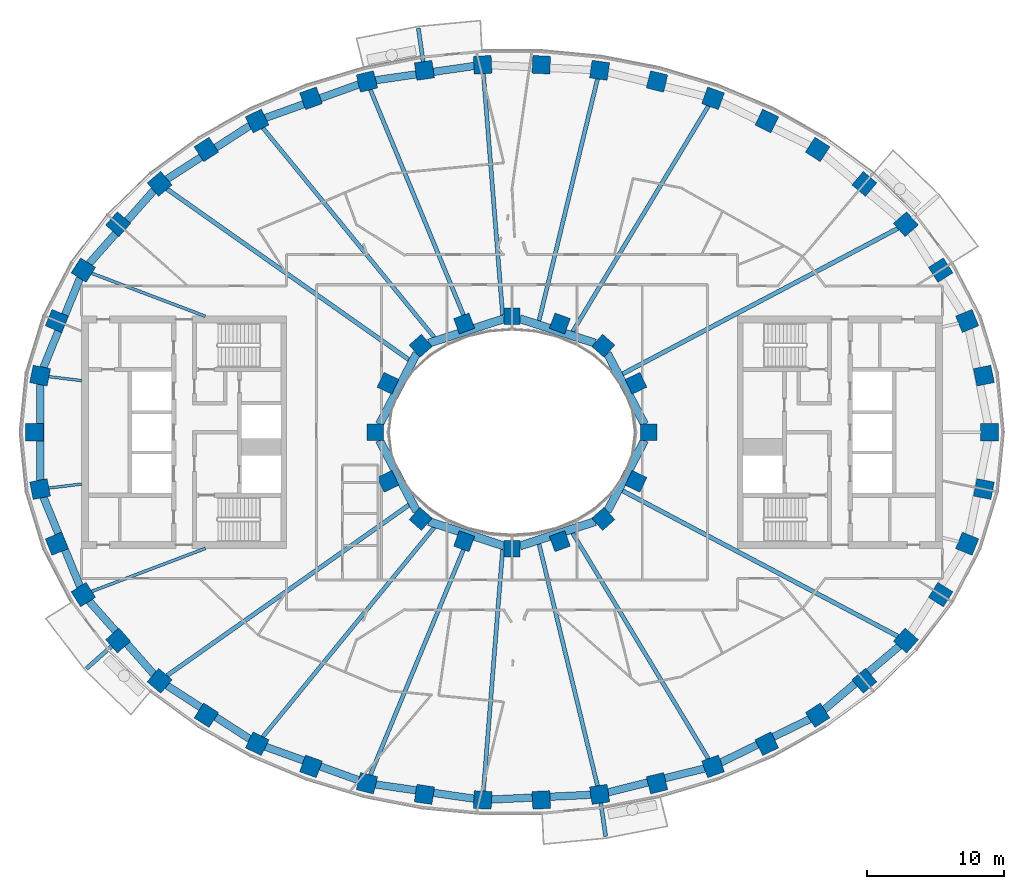
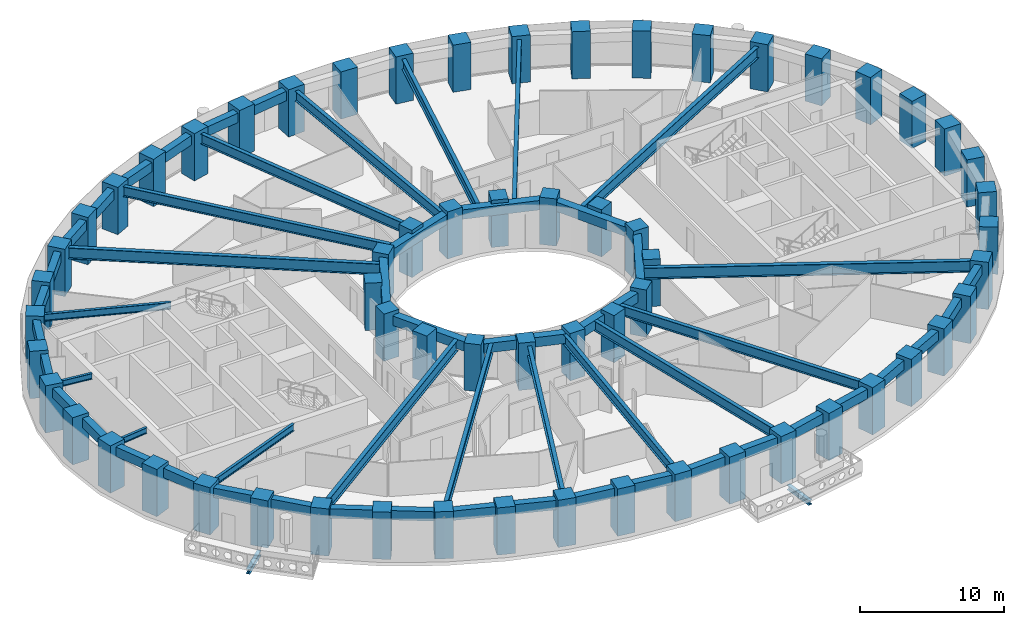
# One storey, part 1 of 16: 62 columns, 44 beams.
"""IFC4 building model written with IfcOpenShell, lengths in metres."""

from ifc_helpers import new_model, si_unit, direction, frame, origin, origin_2d, place, context, subcontext, project, spatial, rectangle, i_section, extrude, material, material_profile, profile_set, type_object, element, save


model = new_model("IFC4")

# Units and contexts
model_context = context("Model", 3, precision=1e-05, world=origin(), true_north=direction((0.0, 1.0)))
body_context = subcontext(model_context, "Body", "Model", "MODEL_VIEW")
ifc_project = project(units=[si_unit("LENGTHUNIT", "METRE"), si_unit("AREAUNIT", "SQUARE_METRE"), si_unit("VOLUMEUNIT", "CUBIC_METRE"), si_unit("PLANEANGLEUNIT", "RADIAN"), si_unit("MASSUNIT", "GRAM", prefix="KILO")], contexts=[model_context])

# Site, building, storey
site_placement = place(None, origin())
site = spatial("IfcSite", under=ifc_project, at=site_placement, CompositionType="ELEMENT")
building_placement = place(site_placement, origin())
building = spatial("IfcBuilding", under=site, at=building_placement, Name="Noorbagh Ring Tower", CompositionType="ELEMENT")
storey_placement = place(building_placement, frame((0.0, 0.0, 96.0)))
storey = spatial("IfcBuildingStorey", under=building, at=storey_placement, Name="L21", CompositionType="ELEMENT", Elevation=96.0)

# Columns
ifc_material_1 = material(Name="Concrete C60/75", Category="concrete")
ifc_material_profile_1 = material_profile(ifc_material_1, rectangle(XDim=1.300048828125, YDim=1.300048828125, at=origin_2d()), Name="RC1300x1300")
ifc_profile_set_1 = profile_set([ifc_material_profile_1], Name="Concrete C60/75")
column_type_1 = type_object("IfcColumnType", Name="STR-COL-RC1300x1300-C60-75", PredefinedType="COLUMN", material=ifc_profile_set_1)
for number, where, z_axis, x_axis, name in (
    (1, (34.944580078125, 0.0, 0.0), (0.0, 0.0, 1.0), (0.0, 1.0, 0.0), "L21/col/R1-01"),
    (2, (34.52685546875, 4.150634765625, 0.0), (0.0, 0.0, 1.0), (-0.19723040178, 0.9803571638, 0.0), "L21/col/R1-02"),
    (3, (33.30517578125, 8.1494140625, 0.0), (0.0, 0.0, 1.0), (-0.378989499959, 0.925400971969, 0.0), "L21/col/R1-03"),
    (4, (31.364990234375, 11.87109375, 0.0), (0.0, 0.0, 1.0), (-0.535190403059, 0.844731455833, 0.0), "L21/col/R1-04"),
    (5, (28.81884765625, 15.23046875, 0.0), (0.0, 0.0, 1.0), (-0.662635642662, 0.748941923699, 0.0), "L21/col/R1-05"),
    (6, (25.78271484375, 18.180419921875, 0.0), (0.0, 0.0, 1.0), (-0.763035199656, 0.646356932419, 0.0), "L21/col/R1-06"),
    (7, (22.362060546875, 20.699951171875, 0.0), (0.0, 0.0, 1.0), (-0.840247639643, 0.542202825586, 0.0), "L21/col/R1-07"),
    (8, (18.646240234375, 22.785400390625, 0.0), (0.0, 0.0, 1.0), (-0.898399080868, 0.439180021741, 0.0), "L21/col/R1-08"),
    (9, (14.70947265625, 24.44091796875, 0.0), (0.0, 0.0, 1.0), (-0.941024726094, 0.338337797003, 0.0), "L21/col/R1-09"),
    (10, (10.61328125, 25.673583984375, 0.0), (0.0, 0.0, 1.0), (-0.970829360981, 0.239771457553, 0.0), "L21/col/R1-10"),
    (11, (6.4091796875, 26.49072265625, 0.0), (0.0, 0.0, 1.0), (-0.989713114048, 0.143066249975, 0.0), "L21/col/R1-11"),
    (12, (2.14306640625, 26.89794921875, 0.0), (0.0, 0.0, 1.0), (-0.998868731212, 0.047552684538, 0.0), "L21/col/R1-12"),
    (13, (-2.14306640625, 26.89794921875, 0.0), (0.0, 0.0, 1.0), (-0.998868731212, -0.047552684538, 0.0), "L21/col/R1-13"),
    (14, (-6.4091796875, 26.49072265625, 0.0), (0.0, 0.0, 1.0), (-0.989713114048, -0.143066249975, 0.0), "L21/col/R1-14"),
    (15, (-10.61328125, 25.673583984375, 0.0), (0.0, 0.0, 1.0), (-0.970829360981, -0.239771457553, 0.0), "L21/col/R1-15"),
    (16, (-14.70947265625, 24.44091796875, 0.0), (0.0, 0.0, 1.0), (-0.941024726094, -0.338337797003, 0.0), "L21/col/R1-16"),
    (17, (-18.646240234375, 22.785400390625, 0.0), (0.0, 0.0, 1.0), (-0.898399080868, -0.439180021741, 0.0), "L21/col/R1-17"),
    (18, (-22.362060546875, 20.699951171875, 0.0), (0.0, 0.0, 1.0), (-0.840247639643, -0.542202825586, 0.0), "L21/col/R1-18"),
    (19, (-25.78271484375, 18.180419921875, 0.0), (0.0, 0.0, 1.0), (-0.763035199656, -0.646356932419, 0.0), "L21/col/R1-19"),
    (20, (-28.81884765625, 15.23046875, 0.0), (0.0, 0.0, 1.0), (-0.662635642662, -0.748941923699, 0.0), "L21/col/R1-20"),
    (21, (-31.364990234375, 11.87109375, 0.0), (0.0, 0.0, 1.0), (-0.535190403059, -0.844731455833, 0.0), "L21/col/R1-21"),
    (22, (-33.30517578125, 8.1494140625, 0.0), (0.0, 0.0, 1.0), (-0.378989499959, -0.925400971969, 0.0), "L21/col/R1-22"),
    (23, (-34.52685546875, 4.150634765625, 0.0), (0.0, 0.0, 1.0), (-0.19723040178, -0.9803571638, 0.0), "L21/col/R1-23"),
    (24, (-34.944580078125, 0.0, 0.0), (0.0, 0.0, 1.0), (0.0, -1.0, 0.0), "L21/col/R1-24"),
    (25, (-34.52685546875, -4.150634765625, 0.0), (0.0, 0.0, 1.0), (0.19723040178, -0.9803571638, 0.0), "L21/col/R1-25"),
    (26, (-33.30517578125, -8.1494140625, 0.0), (0.0, 0.0, 1.0), (0.378989499959, -0.925400971969, 0.0), "L21/col/R1-26"),
    (27, (-31.364990234375, -11.87109375, 0.0), (0.0, 0.0, 1.0), (0.535190403059, -0.844731455833, 0.0), "L21/col/R1-27"),
    (28, (-28.81884765625, -15.23046875, 0.0), (0.0, 0.0, 1.0), (0.662635642662, -0.748941923699, 0.0), "L21/col/R1-28"),
    (29, (-25.78271484375, -18.180419921875, 0.0), (0.0, 0.0, 1.0), (0.763035199656, -0.646356932419, 0.0), "L21/col/R1-29"),
    (30, (-22.362060546875, -20.699951171875, 0.0), (0.0, 0.0, 1.0), (0.840247639643, -0.542202825586, 0.0), "L21/col/R1-30"),
    (31, (-18.646240234375, -22.785400390625, 0.0), (0.0, 0.0, 1.0), (0.898399080868, -0.439180021741, 0.0), "L21/col/R1-31"),
    (32, (-14.70947265625, -24.44091796875, 0.0), (0.0, 0.0, 1.0), (0.941024726094, -0.338337797003, 0.0), "L21/col/R1-32"),
    (33, (-10.61328125, -25.673583984375, 0.0), (0.0, 0.0, 1.0), (0.970829360981, -0.239771457553, 0.0), "L21/col/R1-33"),
    (34, (-6.4091796875, -26.49072265625, 0.0), (0.0, 0.0, 1.0), (0.989713114048, -0.143066249975, 0.0), "L21/col/R1-34"),
    (35, (-2.14306640625, -26.89794921875, 0.0), (0.0, 0.0, 1.0), (0.998868731212, -0.047552684538, 0.0), "L21/col/R1-35"),
    (36, (2.14306640625, -26.89794921875, 0.0), (0.0, 0.0, 1.0), (0.998868731212, 0.047552684538, 0.0), "L21/col/R1-36"),
    (37, (6.4091796875, -26.49072265625, 0.0), (0.0, 0.0, 1.0), (0.989713114048, 0.143066249975, 0.0), "L21/col/R1-37"),
    (38, (10.61328125, -25.673583984375, 0.0), (0.0, 0.0, 1.0), (0.970829360981, 0.239771457553, 0.0), "L21/col/R1-38"),
    (39, (14.70947265625, -24.44091796875, 0.0), (0.0, 0.0, 1.0), (0.941024726094, 0.338337797003, 0.0), "L21/col/R1-39"),
    (40, (18.646240234375, -22.785400390625, 0.0), (0.0, 0.0, 1.0), (0.898399080868, 0.439180021741, 0.0), "L21/col/R1-40"),
    (41, (22.362060546875, -20.699951171875, 0.0), (0.0, 0.0, 1.0), (0.840247639643, 0.542202825586, 0.0), "L21/col/R1-41"),
    (42, (25.78271484375, -18.180419921875, 0.0), (0.0, 0.0, 1.0), (0.763035199656, 0.646356932419, 0.0), "L21/col/R1-42"),
    (43, (28.81884765625, -15.23046875, 0.0), (0.0, 0.0, 1.0), (0.662635642662, 0.748941923699, 0.0), "L21/col/R1-43"),
    (44, (31.364990234375, -11.87109375, 0.0), (0.0, 0.0, 1.0), (0.535190403059, 0.844731455833, 0.0), "L21/col/R1-44"),
    (45, (33.30517578125, -8.1494140625, 0.0), (0.0, 0.0, 1.0), (0.378989499959, 0.925400971969, 0.0), "L21/col/R1-45"),
    (46, (34.52685546875, -4.150634765625, 0.0), (0.0, 0.0, 1.0), (0.19723040178, 0.9803571638, 0.0), "L21/col/R1-46"),
):
    element("IfcColumn", number, at=place(storey_placement, frame(where, z_axis=z_axis, x_axis=x_axis)), inside=storey, type_object=column_type_1, Name=name, PredefinedType="COLUMN", context=body_context, shape_type="SweptSolid", body=[
        extrude(rectangle(XDim=1.300048828125, YDim=1.300048828125, at=origin_2d()), origin(), (0.0, 0.0, 1.0), 4.0),
    ])
ifc_material_2 = material(Name="Concrete C60/75", Category="concrete")
ifc_material_profile_2 = material_profile(ifc_material_2, rectangle(XDim=1.199951171875, YDim=1.199951171875, at=origin_2d()), Name="RC1200x1200")
ifc_profile_set_2 = profile_set([ifc_material_profile_2], Name="Concrete C60/75")
column_type_2 = type_object("IfcColumnType", Name="STR-ICOL-RC1200x1200-C60-75", PredefinedType="COLUMN", material=ifc_profile_set_2)
for number, where, z_axis, x_axis, name in (
    (47, (10.00830078125, 0.0, 0.0), (0.0, 0.0, 1.0), (0.0, 1.0, 0.0), "L21/col/IR2-W01"),
    (48, (9.07568359375, 3.58837890625, 0.0), (0.0, 0.0, 1.0), (-0.428666979171, 0.903462573087, 0.0), "L21/col/IR2-W03"),
    (49, (6.68212890625, 6.333740234375, 0.0), (0.0, 0.0, 1.0), (-0.75102249095, 0.660276622399, 0.0), "L21/col/IR2-W05"),
    (50, (3.5009765625, 7.967041015625, 0.0), (0.0, 0.0, 1.0), (-0.939019578916, 0.343863679984, 0.0), "L21/col/IR2-W07"),
    (51, (0.0, 8.5029296875, 0.0), (0.0, 0.0, 1.0), (-1.0, 0.0, 0.0), "L21/col/IR2-W09"),
    (52, (-3.5009765625, 7.967041015625, 0.0), (0.0, 0.0, 1.0), (-0.939019578916, -0.343863679984, 0.0), "L21/col/IR2-W11"),
    (53, (-6.68212890625, 6.333740234375, 0.0), (0.0, 0.0, 1.0), (-0.75102249095, -0.660276622399, 0.0), "L21/col/IR2-W13"),
    (54, (-9.07568359375, 3.58837890625, 0.0), (0.0, 0.0, 1.0), (-0.428666979171, -0.903462573087, 0.0), "L21/col/IR2-W15"),
    (55, (-10.00830078125, 0.0, 0.0), (0.0, 0.0, 1.0), (0.0, -1.0, 0.0), "L21/col/IR2-W17"),
    (56, (-9.07568359375, -3.58837890625, 0.0), (0.0, 0.0, 1.0), (0.428666979171, -0.903462573087, 0.0), "L21/col/IR2-W19"),
    (57, (-6.68212890625, -6.333740234375, 0.0), (0.0, 0.0, 1.0), (0.75102249095, -0.660276622399, 0.0), "L21/col/IR2-W21"),
    (58, (-3.5009765625, -7.967041015625, 0.0), (0.0, 0.0, 1.0), (0.939019578916, -0.343863679984, 0.0), "L21/col/IR2-W23"),
    (59, (0.0, -8.5029296875, 0.0), (0.0, 0.0, 1.0), (1.0, 0.0, 0.0), "L21/col/IR2-W25"),
    (60, (3.5009765625, -7.967041015625, 0.0), (0.0, 0.0, 1.0), (0.939019578916, 0.343863679984, 0.0), "L21/col/IR2-W27"),
    (61, (6.68212890625, -6.333740234375, 0.0), (0.0, 0.0, 1.0), (0.75102249095, 0.660276622399, 0.0), "L21/col/IR2-W29"),
    (62, (9.07568359375, -3.58837890625, 0.0), (0.0, 0.0, 1.0), (0.428666979171, 0.903462573087, 0.0), "L21/col/IR2-W31"),
):
    element("IfcColumn", number, at=place(storey_placement, frame(where, z_axis=z_axis, x_axis=x_axis)), inside=storey, type_object=column_type_2, Name=name, PredefinedType="COLUMN", context=body_context, shape_type="SweptSolid", body=[
        extrude(rectangle(XDim=1.199951171875, YDim=1.199951171875, at=origin_2d()), origin(), (0.0, 0.0, 1.0), 4.0),
    ])

# Beams
ifc_material_3 = material(Name="Steel S355", Category="steel")
ifc_material_profile_3 = material_profile(ifc_material_3, i_section(OverallWidth=0.300048828125, OverallDepth=0.39990234375, WebThickness=0.013427734375, FlangeThickness=0.02392578125, FilletRadius=0.027099609375, at=origin_2d()), Name="HEB400")
ifc_profile_set_3 = profile_set([ifc_material_profile_3], Name="Steel S355")
beam_type_1 = type_object("IfcBeamType", Name="STR-BALCONY-BRACKET-HEB400", PredefinedType="BEAM", material=ifc_profile_set_3)
beam_1_placement = place(storey_placement, frame((-6.49951171875, 27.1142578125, -0.5), z_axis=(-0.14299620794, 0.989723236322, 0.0), x_axis=(-0.989723236322, -0.14299620794, 0.0)))
element("IfcBeam", 63, at=beam_1_placement, inside=storey, type_object=beam_type_1, Name="Balcony bracket beam BN04", PredefinedType="BEAM", context=body_context, shape_type="SweptSolid", body=[
    extrude(i_section(OverallWidth=0.300048828125, OverallDepth=0.39990234375, WebThickness=0.013427734375, FlangeThickness=0.02392578125, FilletRadius=0.027099609375, at=origin_2d()), origin(), (0.0, 0.0, 1.0), 2.473876953125),
])
beam_2_placement = place(storey_placement, frame((-29.290771484375, -15.64794921875, -0.5), z_axis=(-0.749058582827, -0.662503765645, 0.0), x_axis=(0.662503765645, -0.749058582827, 0.0)))
element("IfcBeam", 64, at=beam_2_placement, inside=storey, type_object=beam_type_1, Name="Balcony bracket beam BS01", PredefinedType="BEAM", context=body_context, shape_type="SweptSolid", body=[
    extrude(i_section(OverallWidth=0.300048828125, OverallDepth=0.39990234375, WebThickness=0.013427734375, FlangeThickness=0.02392578125, FilletRadius=0.027099609375, at=origin_2d()), origin(), (0.0, 0.0, 1.0), 2.479248046875),
])
beam_3_placement = place(storey_placement, frame((6.49951171875, -27.1142578125, -0.5), z_axis=(0.14299620794, -0.989723236322, 0.0), x_axis=(0.989723236322, 0.14299620794, 0.0)))
element("IfcBeam", 65, at=beam_3_placement, inside=storey, type_object=beam_type_1, Name="Balcony bracket beam BS04", PredefinedType="BEAM", context=body_context, shape_type="SweptSolid", body=[
    extrude(i_section(OverallWidth=0.300048828125, OverallDepth=0.39990234375, WebThickness=0.013427734375, FlangeThickness=0.02392578125, FilletRadius=0.027099609375, at=origin_2d()), origin(), (0.0, 0.0, 1.0), 2.473876953125),
])
ifc_material_4 = material(Name="Steel S355", Category="steel")
ifc_material_profile_4 = material_profile(ifc_material_4, i_section(OverallWidth=0.199951171875, OverallDepth=0.5, WebThickness=0.01025390625, FlangeThickness=0.01611328125, FilletRadius=0.02099609375, at=origin_2d()), Name="IPE500")
ifc_profile_set_4 = profile_set([ifc_material_profile_4], Name="Steel S355")
beam_type_2 = type_object("IfcBeamType", Name="STR-RAD-IPE500", PredefinedType="BEAM", material=ifc_profile_set_4)
for number, where, z_axis, x_axis, name in (
    (66, (-33.899169921875, 4.0751953125, 3.449951171875), (0.992852635549, -0.119346738892, 0.0), (0.119346738892, 0.992852635549, 0.0), "L21/bm/RD23"),
    (67, (-33.899169921875, -4.0751953125, 3.449951171875), (0.992852635549, 0.119346738892, 0.0), (-0.119346738892, 0.992852635549, 0.0), "L21/bm/RD25"),
):
    element("IfcBeam", number, at=place(storey_placement, frame(where, z_axis=z_axis, x_axis=x_axis)), inside=storey, type_object=beam_type_2, Name=name, PredefinedType="BEAM", context=body_context, shape_type="SweptSolid", body=[
        extrude(i_section(OverallWidth=0.199951171875, OverallDepth=0.5, WebThickness=0.01025390625, FlangeThickness=0.01611328125, FilletRadius=0.02099609375, at=origin_2d()), origin(), (0.0, 0.0, 1.0), 2.436279296875),
    ])
ifc_material_5 = material(Name="Steel S355", Category="steel")
ifc_material_profile_5 = material_profile(ifc_material_5, i_section(OverallWidth=0.219970703125, OverallDepth=0.60009765625, WebThickness=0.011962890625, FlangeThickness=0.01904296875, FilletRadius=0.02392578125, at=origin_2d()), Name="IPE600")
ifc_profile_set_5 = profile_set([ifc_material_profile_5], Name="Steel S355")
beam_type_3 = type_object("IfcBeamType", Name="STR-RAD-IPE600", PredefinedType="BEAM", material=ifc_profile_set_5)
for number, where, z_axis, x_axis, name in (
    (68, (-30.762939453125, 11.64306640625, 3.39990234375), (0.935256068659, -0.353971871815, 0.0), (0.353971871815, 0.935256068659, 0.0), "L21/bm/RD21"),
    (69, (-30.762939453125, -11.64306640625, 3.39990234375), (0.935256068659, 0.353971871815, 0.0), (-0.353971871815, 0.935256068659, 0.0), "L21/bm/RD27"),
):
    element("IfcBeam", number, at=place(storey_placement, frame(where, z_axis=z_axis, x_axis=x_axis)), inside=storey, type_object=beam_type_3, Name=name, PredefinedType="BEAM", context=body_context, shape_type="SweptSolid", body=[
        extrude(i_section(OverallWidth=0.219970703125, OverallDepth=0.60009765625, WebThickness=0.011962890625, FlangeThickness=0.01904296875, FilletRadius=0.02392578125, at=origin_2d()), origin(), (0.0, 0.0, 1.0), 8.8994140625),
    ])
ifc_material_6 = material(Name="Steel S355", Category="steel")
ifc_material_profile_6 = material_profile(ifc_material_6, i_section(OverallWidth=0.300048828125, OverallDepth=0.85009765625, WebThickness=0.013916015625, FlangeThickness=0.028076171875, at=origin_2d()), Name="PG850x300x14x28")
ifc_profile_set_6 = profile_set([ifc_material_profile_6], Name="Steel S355")
beam_type_4 = type_object("IfcBeamType", Name="STR-RAD-PG850x300x14x28", PredefinedType="BEAM", material=ifc_profile_set_6)
beam_4_placement = place(storey_placement, frame((14.378173828125, 23.89013671875, 3.27490234375), z_axis=(-0.515660214946, -0.85679317383, 0.0), x_axis=(0.85679317383, -0.515660214946, 0.0)))
element("IfcBeam", 70, at=beam_4_placement, inside=storey, type_object=beam_type_4, Name="L21/bm/RD09", PredefinedType="BEAM", context=body_context, shape_type="SweptSolid", body=[
    extrude(i_section(OverallWidth=0.300048828125, OverallDepth=0.85009765625, WebThickness=0.013916015625, FlangeThickness=0.028076171875, at=origin_2d()), origin(), (0.0, 0.0, 1.0), 19.293212890625),
])
beam_5_placement = place(storey_placement, frame((6.260498046875, 25.875732421875, 3.27490234375), z_axis=(-0.235164579981, -0.971955564994, 0.0), x_axis=(0.971955564994, -0.235164579981, 0.0)))
element("IfcBeam", 71, at=beam_5_placement, inside=storey, type_object=beam_type_4, Name="L21/bm/RD11", PredefinedType="BEAM", context=body_context, shape_type="SweptSolid", body=[
    extrude(i_section(OverallWidth=0.300048828125, OverallDepth=0.85009765625, WebThickness=0.013916015625, FlangeThickness=0.028076171875, at=origin_2d()), origin(), (0.0, 0.0, 1.0), 18.230224609375),
])
beam_6_placement = place(storey_placement, frame((-2.093017578125, 26.26953125, 3.27490234375), z_axis=(0.079419392273, -0.996841291345, 0.0), x_axis=(0.996841291345, 0.079419392273, 0.0)))
element("IfcBeam", 72, at=beam_6_placement, inside=storey, type_object=beam_type_4, Name="L21/bm/RD13", PredefinedType="BEAM", context=body_context, shape_type="SweptSolid", body=[
    extrude(i_section(OverallWidth=0.300048828125, OverallDepth=0.85009765625, WebThickness=0.013916015625, FlangeThickness=0.028076171875, at=origin_2d()), origin(), (0.0, 0.0, 1.0), 17.749755859375),
])
beam_7_placement = place(storey_placement, frame((-10.36962890625, 25.084716796875, 3.27490234375), z_axis=(0.38202515603, -0.924151924826, 0.0), x_axis=(0.924151924826, 0.38202515603, 0.0)))
element("IfcBeam", 73, at=beam_7_placement, inside=storey, type_object=beam_type_4, Name="L21/bm/RD15", PredefinedType="BEAM", context=body_context, shape_type="SweptSolid", body=[
    extrude(i_section(OverallWidth=0.300048828125, OverallDepth=0.85009765625, WebThickness=0.013916015625, FlangeThickness=0.028076171875, at=origin_2d()), origin(), (0.0, 0.0, 1.0), 18.750244140625),
])
for number, where, z_axis, x_axis, name in (
    (74, (-18.236083984375, 22.2841796875, 3.27490234375), (0.6333069067, -0.773900744234, 0.0), (0.773900744234, 0.6333069067, 0.0), "L21/bm/RD17"),
    (75, (-18.236083984375, -22.2841796875, 3.27490234375), (0.6333069067, 0.773900744234, 0.0), (-0.773900744234, 0.6333069067, 0.0), "L21/bm/RD31"),
):
    element("IfcBeam", number, at=place(storey_placement, frame(where, z_axis=z_axis, x_axis=x_axis)), inside=storey, type_object=beam_type_4, Name=name, PredefinedType="BEAM", context=body_context, shape_type="SweptSolid", body=[
        extrude(i_section(OverallWidth=0.300048828125, OverallDepth=0.85009765625, WebThickness=0.013916015625, FlangeThickness=0.028076171875, at=origin_2d()), origin(), (0.0, 0.0, 1.0), 19.811767578125),
    ])
beam_8_placement = place(storey_placement, frame((-10.36962890625, -25.084716796875, 3.27490234375), z_axis=(0.38202515603, 0.924151924826, 0.0), x_axis=(-0.924151924826, 0.38202515603, 0.0)))
element("IfcBeam", 76, at=beam_8_placement, inside=storey, type_object=beam_type_4, Name="L21/bm/RD33", PredefinedType="BEAM", context=body_context, shape_type="SweptSolid", body=[
    extrude(i_section(OverallWidth=0.300048828125, OverallDepth=0.85009765625, WebThickness=0.013916015625, FlangeThickness=0.028076171875, at=origin_2d()), origin(), (0.0, 0.0, 1.0), 18.750244140625),
])
beam_9_placement = place(storey_placement, frame((-2.093017578125, -26.26953125, 3.27490234375), z_axis=(0.079419392273, 0.996841291345, 0.0), x_axis=(-0.996841291345, 0.079419392273, 0.0)))
element("IfcBeam", 77, at=beam_9_placement, inside=storey, type_object=beam_type_4, Name="L21/bm/RD35", PredefinedType="BEAM", context=body_context, shape_type="SweptSolid", body=[
    extrude(i_section(OverallWidth=0.300048828125, OverallDepth=0.85009765625, WebThickness=0.013916015625, FlangeThickness=0.028076171875, at=origin_2d()), origin(), (0.0, 0.0, 1.0), 17.749755859375),
])
beam_10_placement = place(storey_placement, frame((6.260498046875, -25.875732421875, 3.27490234375), z_axis=(-0.235164579981, 0.971955564994, 0.0), x_axis=(-0.971955564994, -0.235164579981, 0.0)))
element("IfcBeam", 78, at=beam_10_placement, inside=storey, type_object=beam_type_4, Name="L21/bm/RD37", PredefinedType="BEAM", context=body_context, shape_type="SweptSolid", body=[
    extrude(i_section(OverallWidth=0.300048828125, OverallDepth=0.85009765625, WebThickness=0.013916015625, FlangeThickness=0.028076171875, at=origin_2d()), origin(), (0.0, 0.0, 1.0), 18.230224609375),
])
beam_11_placement = place(storey_placement, frame((14.378173828125, -23.89013671875, 3.27490234375), z_axis=(-0.515660214946, 0.85679317383, 0.0), x_axis=(-0.85679317383, -0.515660214946, 0.0)))
element("IfcBeam", 79, at=beam_11_placement, inside=storey, type_object=beam_type_4, Name="L21/bm/RD39", PredefinedType="BEAM", context=body_context, shape_type="SweptSolid", body=[
    extrude(i_section(OverallWidth=0.300048828125, OverallDepth=0.85009765625, WebThickness=0.013916015625, FlangeThickness=0.028076171875, at=origin_2d()), origin(), (0.0, 0.0, 1.0), 19.293212890625),
])
ifc_material_7 = material(Name="Steel S355", Category="steel")
ifc_material_profile_7 = material_profile(ifc_material_7, i_section(OverallWidth=0.320068359375, OverallDepth=0.949951171875, WebThickness=0.01611328125, FlangeThickness=0.030029296875, at=origin_2d()), Name="PG950x320x16x30")
ifc_profile_set_7 = profile_set([ifc_material_profile_7], Name="Steel S355")
beam_type_5 = type_object("IfcBeamType", Name="STR-RAD-PG950x320x16x30", PredefinedType="BEAM", material=ifc_profile_set_7)
beam_12_placement = place(storey_placement, frame((28.2451171875, 14.92724609375, 3.22509765625), z_axis=(-0.8841222966, -0.467255566746, 0.0), x_axis=(0.467255566746, -0.8841222966, 0.0)))
element("IfcBeam", 80, at=beam_12_placement, inside=storey, type_object=beam_type_5, Name="L21/bm/RD05", PredefinedType="BEAM", context=body_context, shape_type="SweptSolid", body=[
    extrude(i_section(OverallWidth=0.320068359375, OverallDepth=0.949951171875, WebThickness=0.01611328125, FlangeThickness=0.030029296875, at=origin_2d()), origin(), (0.0, 0.0, 1.0), 22.80615234375),
])
for number, where, z_axis, x_axis, name in (
    (81, (-25.250244140625, 17.804931640625, 3.22509765625), (0.817253985622, -0.57627764401, 0.0), (0.57627764401, 0.817253985622, 0.0), "L21/bm/RD19"),
    (82, (-25.250244140625, -17.804931640625, 3.22509765625), (0.817253985622, 0.57627764401, 0.0), (-0.57627764401, 0.817253985622, 0.0), "L21/bm/RD29"),
):
    element("IfcBeam", number, at=place(storey_placement, frame(where, z_axis=z_axis, x_axis=x_axis)), inside=storey, type_object=beam_type_5, Name=name, PredefinedType="BEAM", context=body_context, shape_type="SweptSolid", body=[
        extrude(i_section(OverallWidth=0.320068359375, OverallDepth=0.949951171875, WebThickness=0.01611328125, FlangeThickness=0.030029296875, at=origin_2d()), origin(), (0.0, 0.0, 1.0), 21.677001953125),
    ])
beam_13_placement = place(storey_placement, frame((28.2451171875, -14.92724609375, 3.22509765625), z_axis=(-0.8841222966, 0.467255566746, 0.0), x_axis=(-0.467255566746, -0.8841222966, 0.0)))
element("IfcBeam", 83, at=beam_13_placement, inside=storey, type_object=beam_type_5, Name="L21/bm/RD43", PredefinedType="BEAM", context=body_context, shape_type="SweptSolid", body=[
    extrude(i_section(OverallWidth=0.320068359375, OverallDepth=0.949951171875, WebThickness=0.01611328125, FlangeThickness=0.030029296875, at=origin_2d()), origin(), (0.0, 0.0, 1.0), 22.80615234375),
])
ifc_material_8 = material(Name="Concrete C40/50", Category="concrete")
ifc_material_profile_8 = material_profile(ifc_material_8, rectangle(XDim=0.60009765625, YDim=0.800048828125, at=origin_2d()), Name="RC600x800")
ifc_profile_set_8 = profile_set([ifc_material_profile_8], Name="Concrete C40/50")
beam_type_6 = type_object("IfcBeamType", Name="STR-RB-RC600x800-C40-50", PredefinedType="BEAM", material=ifc_profile_set_8)
beam_14_placement = place(storey_placement, frame((9.70263671875, 0.582275390625, 3.300048828125), z_axis=(-0.464930830504, 0.885347007024, 0.0), x_axis=(-0.885347007024, -0.464930830504, 0.0)))
element("IfcBeam", 84, at=beam_14_placement, inside=storey, type_object=beam_type_6, Name="L21/bm/RG01", PredefinedType="BEAM", context=body_context, shape_type="SweptSolid", body=[
    extrude(rectangle(XDim=0.60009765625, YDim=0.800048828125, at=origin_2d()), origin(), (0.0, 0.0, 1.0), 5.873779296875),
])
for number, where, z_axis, x_axis, name in (
    (85, (6.07958984375, 6.529296875, 3.300048828125), (-0.951141392906, 0.308755648856, 0.0), (-0.308755648856, -0.951141392906, 0.0), "L21/bm/RG03"),
    (86, (-0.5810546875, 8.314208984375, 3.300048828125), (-0.951141392906, -0.308755648856, 0.0), (0.308755648856, -0.951141392906, 0.0), "L21/bm/RG05"),
):
    element("IfcBeam", number, at=place(storey_placement, frame(where, z_axis=z_axis, x_axis=x_axis)), inside=storey, type_object=beam_type_6, Name=name, PredefinedType="BEAM", context=body_context, shape_type="SweptSolid", body=[
        extrude(rectangle(XDim=0.60009765625, YDim=0.800048828125, at=origin_2d()), origin(), (0.0, 0.0, 1.0), 5.781005859375),
    ])
for number, where, z_axis, x_axis, name in (
    (87, (-6.9716796875, 5.78271484375, 3.300048828125), (-0.464930830504, -0.885347007024, 0.0), (0.885347007024, -0.464930830504, 0.0), "L21/bm/RG07"),
    (88, (-9.70263671875, -0.582275390625, 3.300048828125), (0.464930830504, -0.885347007024, 0.0), (0.885347007024, 0.464930830504, 0.0), "L21/bm/RG09"),
):
    element("IfcBeam", number, at=place(storey_placement, frame(where, z_axis=z_axis, x_axis=x_axis)), inside=storey, type_object=beam_type_6, Name=name, PredefinedType="BEAM", context=body_context, shape_type="SweptSolid", body=[
        extrude(rectangle(XDim=0.60009765625, YDim=0.800048828125, at=origin_2d()), origin(), (0.0, 0.0, 1.0), 5.873779296875),
    ])
for number, where, z_axis, x_axis, name in (
    (89, (-6.07958984375, -6.529296875, 3.300048828125), (0.951141392906, -0.308755648856, 0.0), (0.308755648856, 0.951141392906, 0.0), "L21/bm/RG11"),
    (90, (0.5810546875, -8.314208984375, 3.300048828125), (0.951141392906, 0.308755648856, 0.0), (-0.308755648856, 0.951141392906, 0.0), "L21/bm/RG13"),
):
    element("IfcBeam", number, at=place(storey_placement, frame(where, z_axis=z_axis, x_axis=x_axis)), inside=storey, type_object=beam_type_6, Name=name, PredefinedType="BEAM", context=body_context, shape_type="SweptSolid", body=[
        extrude(rectangle(XDim=0.60009765625, YDim=0.800048828125, at=origin_2d()), origin(), (0.0, 0.0, 1.0), 5.781005859375),
    ])
beam_15_placement = place(storey_placement, frame((6.9716796875, -5.78271484375, 3.300048828125), z_axis=(0.464930830504, 0.885347007024, 0.0), x_axis=(-0.885347007024, 0.464930830504, 0.0)))
element("IfcBeam", 91, at=beam_15_placement, inside=storey, type_object=beam_type_6, Name="L21/bm/RG15", PredefinedType="BEAM", context=body_context, shape_type="SweptSolid", body=[
    extrude(rectangle(XDim=0.60009765625, YDim=0.800048828125, at=origin_2d()), origin(), (0.0, 0.0, 1.0), 5.873779296875),
])
ifc_material_9 = material(Name="Concrete C40/50", Category="concrete")
ifc_material_profile_9 = material_profile(ifc_material_9, rectangle(XDim=0.550048828125, YDim=0.800048828125, at=origin_2d()), Name="RC550x800")
ifc_profile_set_9 = profile_set([ifc_material_profile_9], Name="Concrete C40/50")
beam_type_7 = type_object("IfcBeamType", Name="STR-SB-RC550x800-C40-50", PredefinedType="BEAM", material=ifc_profile_set_9)
beam_16_placement = place(storey_placement, frame((-2.769775390625, 26.807373046875, 3.300048828125), z_axis=(-0.989713086327, -0.143066441741, 0.0), x_axis=(0.143066441741, -0.989713086327, 0.0)))
element("IfcBeam", 92, at=beam_16_placement, inside=storey, type_object=beam_type_7, Name="L21/bm/SP13", PredefinedType="BEAM", context=body_context, shape_type="SweptSolid", body=[
    extrude(rectangle(XDim=0.550048828125, YDim=0.800048828125, at=origin_2d()), origin(), (0.0, 0.0, 1.0), 7.291748046875),
])
beam_17_placement = place(storey_placement, frame((-11.209228515625, 25.459228515625, 3.300048828125), z_axis=(-0.941024767496, -0.33833768185, 0.0), x_axis=(0.33833768185, -0.941024767496, 0.0)))
element("IfcBeam", 93, at=beam_17_placement, inside=storey, type_object=beam_type_7, Name="L21/bm/SP15", PredefinedType="BEAM", context=body_context, shape_type="SweptSolid", body=[
    extrude(rectangle(XDim=0.550048828125, YDim=0.800048828125, at=origin_2d()), origin(), (0.0, 0.0, 1.0), 7.269287109375),
])
beam_18_placement = place(storey_placement, frame((-19.179443359375, 22.44140625, 3.300048828125), z_axis=(-0.840245983135, -0.542205392657, 0.0), x_axis=(0.542205392657, -0.840245983135, 0.0)))
element("IfcBeam", 94, at=beam_18_placement, inside=storey, type_object=beam_type_7, Name="L21/bm/SP17", PredefinedType="BEAM", context=body_context, shape_type="SweptSolid", body=[
    extrude(rectangle(XDim=0.550048828125, YDim=0.800048828125, at=origin_2d()), origin(), (0.0, 0.0, 1.0), 7.223388671875),
])
beam_19_placement = place(storey_placement, frame((-26.20458984375, 17.703369140625, 3.300048828125), z_axis=(-0.662640932003, -0.748937243855, 0.0), x_axis=(0.748937243855, -0.662640932003, 0.0)))
element("IfcBeam", 95, at=beam_19_placement, inside=storey, type_object=beam_type_7, Name="L21/bm/SP19", PredefinedType="BEAM", context=body_context, shape_type="SweptSolid", body=[
    extrude(rectangle(XDim=0.550048828125, YDim=0.800048828125, at=origin_2d()), origin(), (0.0, 0.0, 1.0), 7.149169921875),
])
beam_20_placement = place(storey_placement, frame((-31.607666015625, 11.278564453125, 3.300048828125), z_axis=(-0.378973457999, -0.925407541644, 0.0), x_axis=(0.925407541644, -0.378973457999, 0.0)))
element("IfcBeam", 96, at=beam_20_placement, inside=storey, type_object=beam_type_7, Name="L21/bm/SP21", PredefinedType="BEAM", context=body_context, shape_type="SweptSolid", body=[
    extrude(rectangle(XDim=0.550048828125, YDim=0.800048828125, at=origin_2d()), origin(), (0.0, 0.0, 1.0), 7.060546875),
])
beam_21_placement = place(storey_placement, frame((-34.52685546875, 3.507568359375, 3.300048828125), z_axis=(0.0, -1.0, 0.0), x_axis=(1.0, 0.0, 0.0)))
element("IfcBeam", 97, at=beam_21_placement, inside=storey, type_object=beam_type_7, Name="L21/bm/SP23", PredefinedType="BEAM", context=body_context, shape_type="SweptSolid", body=[
    extrude(rectangle(XDim=0.550048828125, YDim=0.800048828125, at=origin_2d()), origin(), (0.0, 0.0, 1.0), 7.01513671875),
])
beam_22_placement = place(storey_placement, frame((-34.283447265625, -4.74462890625, 3.300048828125), z_axis=(0.378973457999, -0.925407541644, 0.0), x_axis=(0.925407541644, 0.378973457999, 0.0)))
element("IfcBeam", 98, at=beam_22_placement, inside=storey, type_object=beam_type_7, Name="L21/bm/SP25", PredefinedType="BEAM", context=body_context, shape_type="SweptSolid", body=[
    extrude(rectangle(XDim=0.550048828125, YDim=0.800048828125, at=origin_2d()), origin(), (0.0, 0.0, 1.0), 7.060546875),
])
beam_23_placement = place(storey_placement, frame((-30.94189453125, -12.34912109375, 3.300048828125), z_axis=(0.662640932003, -0.748937243855, 0.0), x_axis=(0.748937243855, 0.662640932003, 0.0)))
element("IfcBeam", 99, at=beam_23_placement, inside=storey, type_object=beam_type_7, Name="L21/bm/SP27", PredefinedType="BEAM", context=body_context, shape_type="SweptSolid", body=[
    extrude(rectangle(XDim=0.550048828125, YDim=0.800048828125, at=origin_2d()), origin(), (0.0, 0.0, 1.0), 7.149169921875),
])
beam_24_placement = place(storey_placement, frame((-25.248779296875, -18.52490234375, 3.300048828125), z_axis=(0.840245983135, -0.542205392657, 0.0), x_axis=(0.542205392657, 0.840245983135, 0.0)))
element("IfcBeam", 100, at=beam_24_placement, inside=storey, type_object=beam_type_7, Name="L21/bm/SP29", PredefinedType="BEAM", context=body_context, shape_type="SweptSolid", body=[
    extrude(rectangle(XDim=0.550048828125, YDim=0.800048828125, at=origin_2d()), origin(), (0.0, 0.0, 1.0), 7.223388671875),
])
beam_25_placement = place(storey_placement, frame((-18.0498046875, -22.999755859375, 3.300048828125), z_axis=(0.941024767496, -0.33833768185, 0.0), x_axis=(0.33833768185, 0.941024767496, 0.0)))
element("IfcBeam", 101, at=beam_25_placement, inside=storey, type_object=beam_type_7, Name="L21/bm/SP31", PredefinedType="BEAM", context=body_context, shape_type="SweptSolid", body=[
    extrude(rectangle(XDim=0.550048828125, YDim=0.800048828125, at=origin_2d()), origin(), (0.0, 0.0, 1.0), 7.269287109375),
])
beam_26_placement = place(storey_placement, frame((-9.986572265625, -25.76416015625, 3.300048828125), z_axis=(0.989713086327, -0.143066441741, 0.0), x_axis=(0.143066441741, 0.989713086327, 0.0)))
element("IfcBeam", 102, at=beam_26_placement, inside=storey, type_object=beam_type_7, Name="L21/bm/SP33", PredefinedType="BEAM", context=body_context, shape_type="SweptSolid", body=[
    extrude(rectangle(XDim=0.550048828125, YDim=0.800048828125, at=origin_2d()), origin(), (0.0, 0.0, 1.0), 7.291748046875),
])
beam_27_placement = place(storey_placement, frame((-1.510986328125, -26.867919921875, 3.300048828125), z_axis=(0.998868894653, 0.047549251258, 0.0), x_axis=(-0.047549251258, 0.998868894653, 0.0)))
element("IfcBeam", 103, at=beam_27_placement, inside=storey, type_object=beam_type_7, Name="L21/bm/SP35", PredefinedType="BEAM", context=body_context, shape_type="SweptSolid", body=[
    extrude(rectangle(XDim=0.550048828125, YDim=0.800048828125, at=origin_2d()), origin(), (0.0, 0.0, 1.0), 7.296142578125),
])
beam_28_placement = place(storey_placement, frame((7.02392578125, -26.339111328125, 3.300048828125), z_axis=(0.970826778955, 0.239781911877, 0.0), x_axis=(-0.239781911877, 0.970826778955, 0.0)))
element("IfcBeam", 104, at=beam_28_placement, inside=storey, type_object=beam_type_7, Name="L21/bm/SP37", PredefinedType="BEAM", context=body_context, shape_type="SweptSolid", body=[
    extrude(rectangle(XDim=0.550048828125, YDim=0.800048828125, at=origin_2d()), origin(), (0.0, 0.0, 1.0), 7.282958984375),
])
beam_29_placement = place(storey_placement, frame((15.279052734375, -24.162353515625, 3.300048828125), z_axis=(0.898412117145, 0.43915335336, 0.0), x_axis=(-0.43915335336, 0.898412117145, 0.0)))
element("IfcBeam", 105, at=beam_29_placement, inside=storey, type_object=beam_type_7, Name="L21/bm/SP39", PredefinedType="BEAM", context=body_context, shape_type="SweptSolid", body=[
    extrude(rectangle(XDim=0.550048828125, YDim=0.800048828125, at=origin_2d()), origin(), (0.0, 0.0, 1.0), 7.249267578125),
])
beam_30_placement = place(storey_placement, frame((22.846923828125, -20.289306640625, 3.300048828125), z_axis=(0.76303325952, 0.646359222775, 0.0), x_axis=(-0.646359222775, 0.76303325952, 0.0)))
element("IfcBeam", 106, at=beam_30_placement, inside=storey, type_object=beam_type_7, Name="L21/bm/SP41", PredefinedType="BEAM", context=body_context, shape_type="SweptSolid", body=[
    extrude(rectangle(XDim=0.550048828125, YDim=0.800048828125, at=origin_2d()), origin(), (0.0, 0.0, 1.0), 7.18994140625),
])

save(model, "model.ifc")
